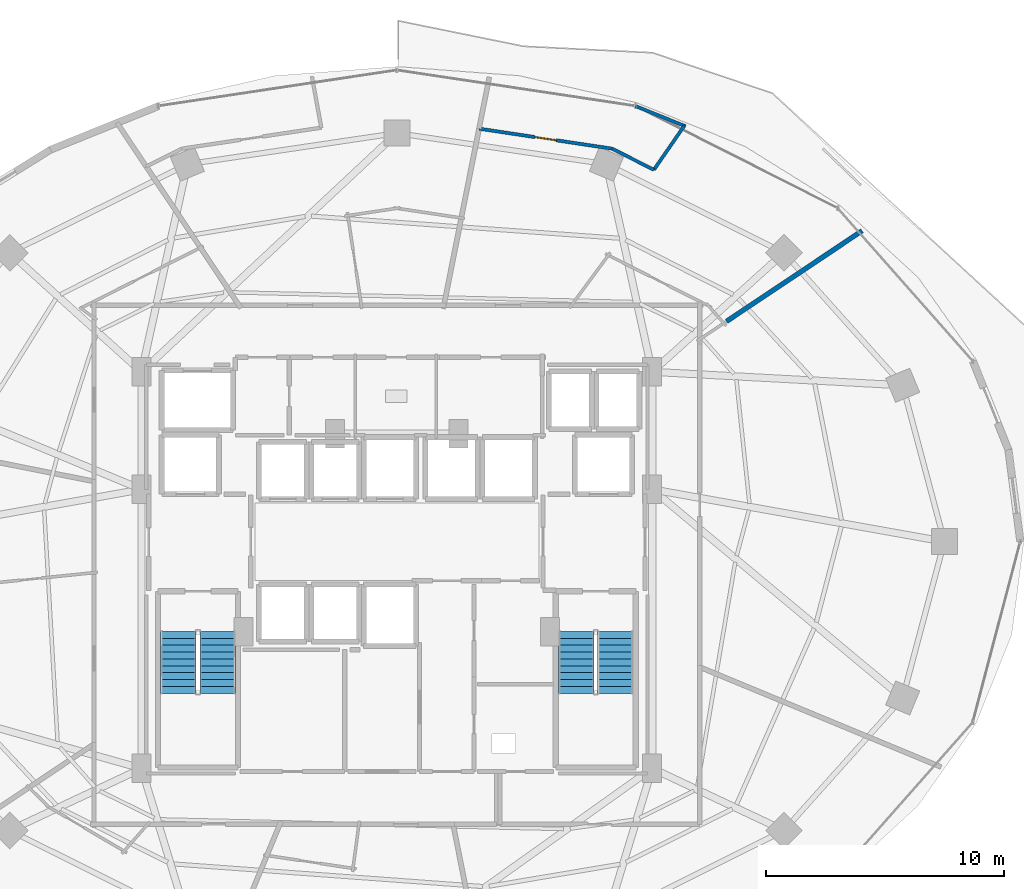
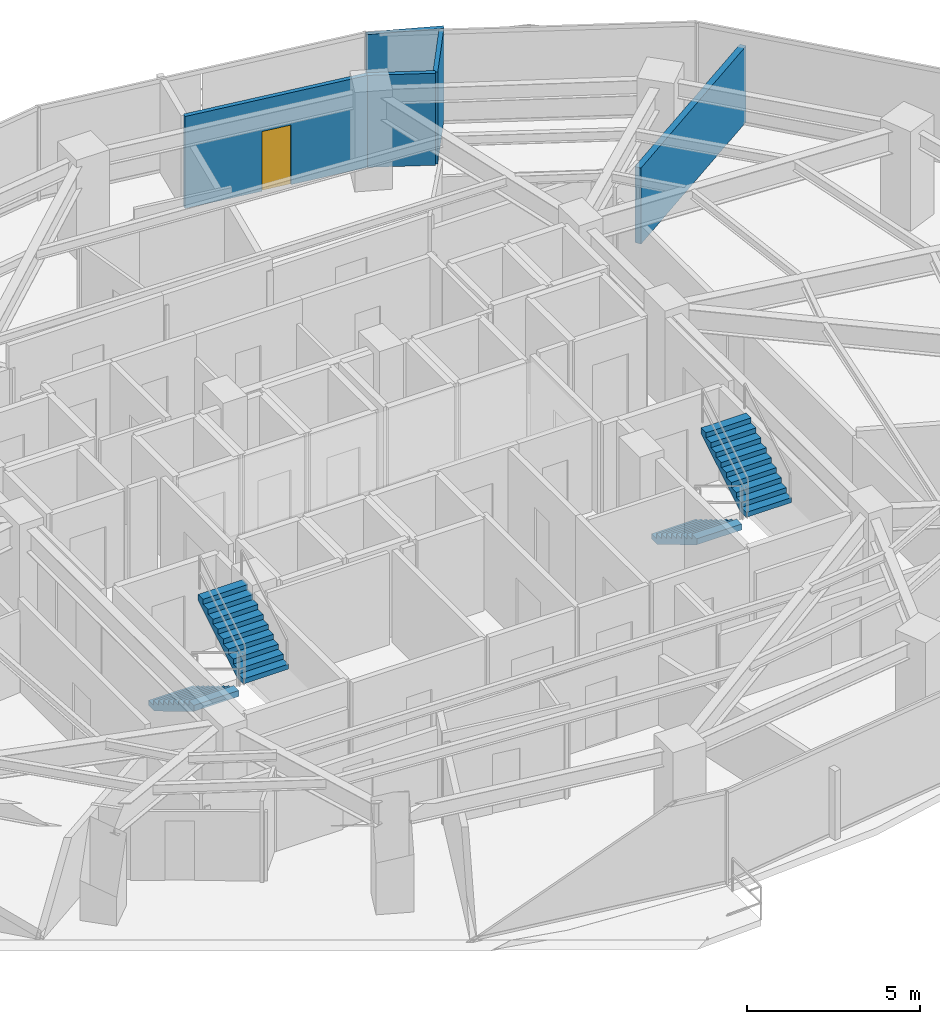
# One storey, part 27 of 30: 5 walls, 4 stair flights, 1 door, 1 opening, 2 elements without a shape of their own.
"""IFC4 building model written with IfcOpenShell, lengths in metres."""

from ifc_helpers import new_model, si_unit, direction, frame, frame_2d, origin, place, context, subcontext, project, spatial, polyline, rectangle, outline, extrude, material, layer, layer_set, type_object, element, fill, aggregate, save


model = new_model("IFC4")

# Units and contexts
model_context = context("Model", 3, precision=1e-05, world=origin(), true_north=direction((0.0, 1.0)))
body_context = subcontext(model_context, "Body", "Model", "MODEL_VIEW")
ifc_project = project(units=[si_unit("LENGTHUNIT", "METRE"), si_unit("AREAUNIT", "SQUARE_METRE"), si_unit("VOLUMEUNIT", "CUBIC_METRE"), si_unit("PLANEANGLEUNIT", "RADIAN"), si_unit("MASSUNIT", "GRAM", prefix="KILO")], contexts=[model_context])

# Site, building, storey
site_placement = place(None, origin())
site = spatial("IfcSite", under=ifc_project, at=site_placement, CompositionType="ELEMENT")
building_placement = place(site_placement, origin())
building = spatial("IfcBuilding", under=site, at=building_placement, Name="Vorneva Point Tower", CompositionType="ELEMENT")
storey_placement = place(building_placement, frame((0.0, 0.0, 78.800048828125)))
storey = spatial("IfcBuildingStorey", under=building, at=storey_placement, Name="L20", CompositionType="ELEMENT", Elevation=78.800048828125)

# Walls
ifc_material_1 = material(Name="Fire-rated acoustic gypsum stud partition", Category="gypsum")
ifc_layer_1 = layer(ifc_material_1, 0.139892578125)
ifc_layer_set_1 = layer_set([ifc_layer_1], Name="Fire-rated acoustic gypsum stud partition")
wall_type_1 = type_object("IfcWallType", Name="WL-PART-140", PredefinedType="PARTITIONING", material=ifc_layer_set_1)
wall_1_placement = place(storey_placement, frame((50.10009765625, 43.507080078125, 0.0), z_axis=(0.0, 0.0, 1.0), x_axis=(-0.568470595976, -0.822703580587, 0.0)))
element("IfcWall", 1, at=wall_1_placement, inside=storey, type_object=wall_type_1, Name="L20 Interior Partition 051", PredefinedType="PARTITIONING", context=body_context, shape_type="SweptSolid", body=[
    extrude(rectangle(XDim=2.25, YDim=0.139892578125, at=frame_2d((1.125, 0.0))), origin(), (0.0, 0.0, 1.0), 3.239990234375),
])
wall_2_placement = place(storey_placement, frame((48.821044921875, 41.656005859375, 0.0), z_axis=(0.0, 0.0, 1.0), x_axis=(-0.892511395612, 0.451024842668, 0.0)))
element("IfcWall", 2, at=wall_2_placement, inside=storey, type_object=wall_type_1, Name="L20 Interior Partition 052", PredefinedType="PARTITIONING", context=body_context, shape_type="SweptSolid", body=[
    extrude(rectangle(XDim=1.970947265625, YDim=0.139892578125, at=frame_2d((0.9853515625, 0.0))), origin(), (0.0, 0.0, 1.0), 3.239990234375),
])

# Wall, opening, door
wall_3_placement = place(storey_placement, frame((47.06201171875, 42.544921875, 0.0), z_axis=(0.0, 0.0, 1.0), x_axis=(-0.988869883596, 0.148782906669, 0.0)))
wall_3 = element("IfcWall", 3, at=wall_3_placement, inside=storey, type_object=wall_type_1, Name="L20 Interior Partition 053", PredefinedType="PARTITIONING", context=body_context, shape_type="SweptSolid", body=[
    extrude(rectangle(XDim=5.666015625, YDim=0.139892578125, at=frame_2d((2.8330078125, 0.0))), origin(), (0.0, 0.0, 1.0), 3.239990234375),
])
opening_placement = place(wall_3_placement, frame((2.383056640625, 0.0, 0.0)))
opening = element("IfcOpeningElement", 4, at=opening_placement, cuts=wall_3, Name="Opening ID-01", PredefinedType="OPENING", context=body_context, shape_type="SweptSolid", body=[
    extrude(rectangle(XDim=0.89990234375, YDim=2.10009765625, at=frame_2d((0.449951171875, 1.050048828125))), frame((0.0, 0.0849609375, 0.0), z_axis=(0.0, -1.0, 0.0), x_axis=(1.0, 0.0, 0.0)), (0.0, 0.0, 1.0), 0.169677734375),
])
ifc_material_2 = material(Name="Engineered oak fire-rated door leaf", Category="wood")
door_type = type_object("IfcDoorType", Name="DR-ROOM-900", OperationType="NOTDEFINED", PredefinedType="DOOR", material=ifc_material_2)
door_placement = place(opening_placement, origin())
door = element("IfcDoor", 5, at=door_placement, inside=storey, type_object=door_type, Name="L20 Door Corner Suite L20-01 / Suite Sitting Study L20-01", OperationType="SINGLE_SWING_RIGHT", OverallHeight=2.10009765625, OverallWidth=0.89990234375, PredefinedType="DOOR", context=body_context, shape_type="SweptSolid", body=[
    extrude(rectangle(XDim=0.89990234375, YDim=2.10009765625, at=frame_2d((0.449951171875, 1.050048828125))), frame((0.0, 0.02490234375, 0.0), z_axis=(0.0, -1.0, 0.0), x_axis=(1.0, 0.0, 0.0)), (0.0, 0.0, 1.0), 0.050048828125),
])
fill(opening, door)

# Walls
wall_4_placement = place(storey_placement, frame((50.156005859375, 43.485107421875, 0.0), z_axis=(0.0, 0.0, 1.0), x_axis=(-0.926988791776, 0.375089029327, 0.0)))
element("IfcWall", 6, at=wall_4_placement, inside=storey, type_object=wall_type_1, Name="L20 Interior Partition 054", PredefinedType="PARTITIONING", context=body_context, shape_type="SweptSolid", body=[
    extrude(rectangle(XDim=2.26318359375, YDim=0.139892578125, at=frame_2d((1.131591796875, 0.0))), origin(), (0.0, 0.0, 1.0), 3.239990234375),
])
ifc_material_3 = material(Name="Autoclaved aerated concrete blockwork", Category="masonry")
ifc_layer_2 = layer(ifc_material_3, 0.199951171875)
ifc_layer_set_2 = layer_set([ifc_layer_2], Name="Autoclaved aerated concrete blockwork")
wall_type_2 = type_object("IfcWallType", Name="WL-PART-200", PredefinedType="PARTITIONING", material=ifc_layer_set_2)
wall_5_placement = place(storey_placement, frame((51.882568359375, 35.275634765625, 0.0), z_axis=(0.0, 0.0, 1.0), x_axis=(0.831464132421, 0.555578434154, 0.0)))
element("IfcWall", 7, at=wall_5_placement, inside=storey, type_object=wall_type_2, Name="L20 Interior Partition 057", PredefinedType="PARTITIONING", context=body_context, shape_type="SweptSolid", body=[
    extrude(rectangle(XDim=6.86181640625, YDim=0.199951171875, at=frame_2d((3.430908203125, 0.0))), origin(), (0.0, 0.0, 1.0), 2.677001953125),
])

# Stair, stair flights
ifc_material_4 = material(Name="Concrete B50 (C40/50)", Category="concrete")
stair_type = type_object("IfcStairType", Name="ST-DOG-1500", PredefinedType="HALF_TURN_STAIR", material=ifc_material_4)
stair_1_placement = place(storey_placement, origin())
stair_1 = element("IfcStair", 8, at=stair_1_placement, inside=storey, type_object=stair_type, Name="L20 ST1", PredefinedType="HALF_TURN_STAIR")
stair_flight_type = type_object("IfcStairFlightType", Name="STF-1500", PredefinedType="STRAIGHT", material=ifc_material_4)
stair_flight_1_placement = place(storey_placement, frame((28.800048828125, 22.219970703125, 0.0), z_axis=(0.0, 0.0, 1.0), x_axis=(0.0, -1.0, 0.0)))
stair_flight_1 = element("IfcStairFlight", 9, at=stair_flight_1_placement, type_object=stair_flight_type, Name="ST1 flight 1", NumberOfRisers=10, NumberOfTreads=9, PredefinedType="STRAIGHT", RiserHeight=0.175, TreadLength=0.29, context=body_context, shape_type="SweptSolid", body=[
    extrude(outline(polyline([(0.0, 0.0), (0.0, 0.175048828125), (0.2900390625, 0.175048828125), (0.2900390625, 0.35009765625), (0.580078125, 0.35009765625), (0.580078125, 0.52490234375), (0.8701171875, 0.52490234375), (0.8701171875, 0.699951171875), (1.159912109375, 0.699951171875), (1.159912109375, 0.875), (1.449951171875, 0.875), (1.449951171875, 1.050048828125), (1.739990234375, 1.050048828125), (1.739990234375, 1.22509765625), (2.030029296875, 1.22509765625), (2.030029296875, 1.39990234375), (2.320068359375, 1.39990234375), (2.320068359375, 1.574951171875), (2.610107421875, 1.574951171875), (2.610107421875, 1.75), (2.610107421875, 1.36474609375), (0.34814453125, 0.0), (0.0, 0.0)])), frame((0.0, 0.75, 0.0), z_axis=(0.0, -1.0, 0.0), x_axis=(1.0, 0.0, 0.0)), (0.0, 0.0, 1.0), 1.5),
])
stair_flight_2_placement = place(storey_placement, frame((30.449951171875, 19.610107421875, 1.75), z_axis=(0.0, 0.0, 1.0), x_axis=(0.0, 1.0, 0.0)))
stair_flight_2 = element("IfcStairFlight", 10, at=stair_flight_2_placement, type_object=stair_flight_type, Name="ST1 flight 2", NumberOfRisers=10, NumberOfTreads=9, PredefinedType="STRAIGHT", RiserHeight=0.175, TreadLength=0.29, context=body_context, shape_type="SweptSolid", body=[
    extrude(outline(polyline([(0.0, 0.0), (0.0, 0.175048828125), (0.2900390625, 0.175048828125), (0.2900390625, 0.35009765625), (0.580078125, 0.35009765625), (0.580078125, 0.52490234375), (0.8701171875, 0.52490234375), (0.8701171875, 0.699951171875), (1.159912109375, 0.699951171875), (1.159912109375, 0.875), (1.449951171875, 0.875), (1.449951171875, 1.050048828125), (1.739990234375, 1.050048828125), (1.739990234375, 1.22509765625), (2.030029296875, 1.22509765625), (2.030029296875, 1.39990234375), (2.320068359375, 1.39990234375), (2.320068359375, 1.574951171875), (2.610107421875, 1.574951171875), (2.610107421875, 1.75), (2.610107421875, 1.36474609375), (0.34814453125, 0.0), (0.0, 0.0)])), frame((0.0, 0.75, 0.0), z_axis=(0.0, -1.0, 0.0), x_axis=(1.0, 0.0, 0.0)), (0.0, 0.0, 1.0), 1.5),
])
aggregate(stair_1, [stair_flight_1, stair_flight_2])

stair_2_placement = place(storey_placement, origin())
stair_2 = element("IfcStair", 11, at=stair_2_placement, inside=storey, type_object=stair_type, Name="L20 ST2", PredefinedType="HALF_TURN_STAIR")
stair_flight_3_placement = place(storey_placement, frame((45.550048828125, 22.219970703125, 0.0), z_axis=(0.0, 0.0, 1.0), x_axis=(0.0, -1.0, 0.0)))
stair_flight_3 = element("IfcStairFlight", 12, at=stair_flight_3_placement, type_object=stair_flight_type, Name="ST2 flight 1", NumberOfRisers=10, NumberOfTreads=9, PredefinedType="STRAIGHT", RiserHeight=0.175, TreadLength=0.29, context=body_context, shape_type="SweptSolid", body=[
    extrude(outline(polyline([(0.0, 0.0), (0.0, 0.175048828125), (0.2900390625, 0.175048828125), (0.2900390625, 0.35009765625), (0.580078125, 0.35009765625), (0.580078125, 0.52490234375), (0.8701171875, 0.52490234375), (0.8701171875, 0.699951171875), (1.159912109375, 0.699951171875), (1.159912109375, 0.875), (1.449951171875, 0.875), (1.449951171875, 1.050048828125), (1.739990234375, 1.050048828125), (1.739990234375, 1.22509765625), (2.030029296875, 1.22509765625), (2.030029296875, 1.39990234375), (2.320068359375, 1.39990234375), (2.320068359375, 1.574951171875), (2.610107421875, 1.574951171875), (2.610107421875, 1.75), (2.610107421875, 1.36474609375), (0.34814453125, 0.0), (0.0, 0.0)])), frame((0.0, 0.75, 0.0), z_axis=(0.0, -1.0, 0.0), x_axis=(1.0, 0.0, 0.0)), (0.0, 0.0, 1.0), 1.5),
])
stair_flight_4_placement = place(storey_placement, frame((47.199951171875, 19.610107421875, 1.75), z_axis=(0.0, 0.0, 1.0), x_axis=(0.0, 1.0, 0.0)))
stair_flight_4 = element("IfcStairFlight", 13, at=stair_flight_4_placement, type_object=stair_flight_type, Name="ST2 flight 2", NumberOfRisers=10, NumberOfTreads=9, PredefinedType="STRAIGHT", RiserHeight=0.175, TreadLength=0.29, context=body_context, shape_type="SweptSolid", body=[
    extrude(outline(polyline([(0.0, 0.0), (0.0, 0.175048828125), (0.2900390625, 0.175048828125), (0.2900390625, 0.35009765625), (0.580078125, 0.35009765625), (0.580078125, 0.52490234375), (0.8701171875, 0.52490234375), (0.8701171875, 0.699951171875), (1.159912109375, 0.699951171875), (1.159912109375, 0.875), (1.449951171875, 0.875), (1.449951171875, 1.050048828125), (1.739990234375, 1.050048828125), (1.739990234375, 1.22509765625), (2.030029296875, 1.22509765625), (2.030029296875, 1.39990234375), (2.320068359375, 1.39990234375), (2.320068359375, 1.574951171875), (2.610107421875, 1.574951171875), (2.610107421875, 1.75), (2.610107421875, 1.36474609375), (0.34814453125, 0.0), (0.0, 0.0)])), frame((0.0, 0.75, 0.0), z_axis=(0.0, -1.0, 0.0), x_axis=(1.0, 0.0, 0.0)), (0.0, 0.0, 1.0), 1.5),
])
aggregate(stair_2, [stair_flight_3, stair_flight_4])

save(model, "model.ifc")
